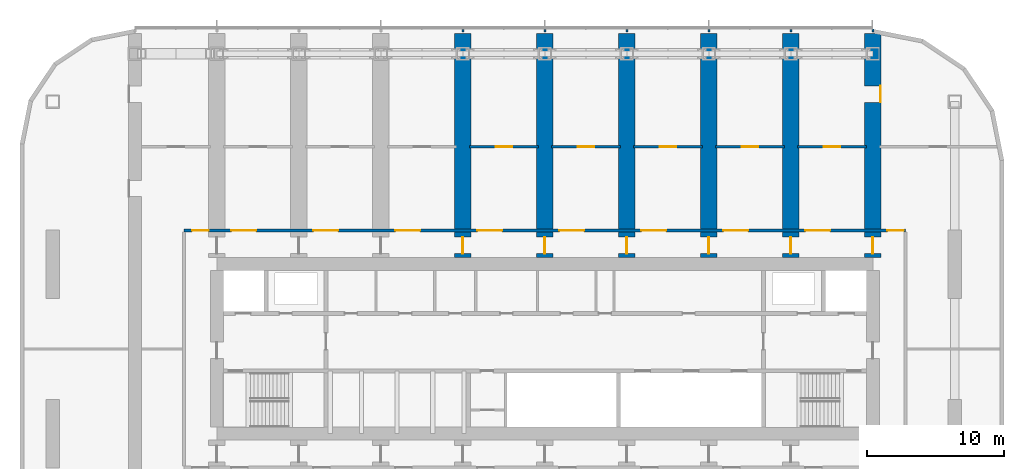
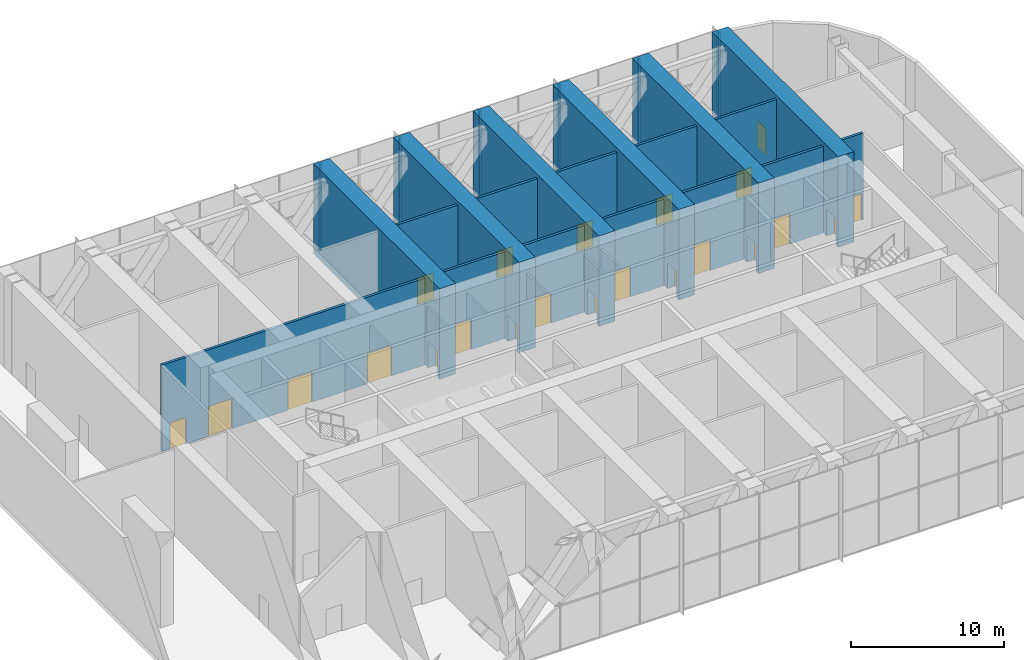
# One storey, part 12 of 22: 22 doors, 18 walls, 22 openings.
"""IFC4 building model written with IfcOpenShell, lengths in metres."""

from ifc_helpers import new_model, si_unit, direction, frame, frame_2d, origin, place, context, subcontext, project, spatial, rectangle, extrude, material, layer, layer_set, type_object, element, fill, save


model = new_model("IFC4")

# Units and contexts
model_context = context("Model", 3, precision=1e-05, world=origin(), true_north=direction((0.0, 1.0)))
body_context = subcontext(model_context, "Body", "Model", "MODEL_VIEW")
ifc_project = project(units=[si_unit("LENGTHUNIT", "METRE"), si_unit("AREAUNIT", "SQUARE_METRE"), si_unit("VOLUMEUNIT", "CUBIC_METRE"), si_unit("PLANEANGLEUNIT", "RADIAN"), si_unit("MASSUNIT", "GRAM", prefix="KILO")], contexts=[model_context])

# Site, building, storey
site_placement = place(None, origin())
site = spatial("IfcSite", under=ifc_project, at=site_placement, CompositionType="ELEMENT")
building_placement = place(site_placement, origin())
building = spatial("IfcBuilding", under=site, at=building_placement, Name="Orbita Commons", CompositionType="ELEMENT")
storey_placement = place(building_placement, frame((0.0, 0.0, 133.14990234375)))
storey = spatial("IfcBuildingStorey", under=building, at=storey_placement, Name="L33", CompositionType="ELEMENT", Elevation=133.14990234375)

# Wall, openings, doors
ifc_material_1 = material(Name="Concrete blockwork", Category="masonry")
ifc_layer_1 = layer(ifc_material_1, 0.199951171875)
ifc_layer_set_1 = layer_set([ifc_layer_1], Name="Concrete blockwork")
wall_type_1 = type_object("IfcWallType", Name="Corridor wall 200 blockwork", PredefinedType="SOLIDWALL", material=ifc_layer_set_1)
wall_1_placement = place(storey_placement, frame((15.60009765625, 40.675048828125, 0.0), z_axis=(0.0, 0.0, 1.0), x_axis=(1.0, 0.0, 0.0)))
wall_1 = element("IfcWall", 1, at=wall_1_placement, inside=storey, type_object=wall_type_1, Name="Corridor wall 200 blockwork L33", PredefinedType="SOLIDWALL", context=body_context, shape_type="SweptSolid", body=[
    extrude(rectangle(XDim=52.7998046875, YDim=0.199951171875, at=frame_2d((26.39990234375, 0.0))), origin(), (0.0, 0.0, 1.0), 6.900146484375),
])
opening_1_placement = place(wall_1_placement, frame((0.60009765625, 0.0, 0.0)))
opening_1 = element("IfcOpeningElement", 2, at=opening_1_placement, cuts=wall_1, Name="Opening D01", PredefinedType="OPENING", context=body_context, shape_type="SweptSolid", body=[
    extrude(rectangle(XDim=1.199951171875, YDim=2.10009765625, at=frame_2d((0.60009765625, 1.050048828125))), frame((0.0, 0.10986328125, 0.0), z_axis=(0.0, -1.0, 0.0), x_axis=(1.0, 0.0, 0.0)), (0.0, 0.0, 1.0), 0.219970703125),
])
opening_2_placement = place(wall_1_placement, frame((3.47509765625, 0.0, 0.0)))
opening_2 = element("IfcOpeningElement", 3, at=opening_2_placement, cuts=wall_1, Name="Opening D14", PredefinedType="OPENING", context=body_context, shape_type="SweptSolid", body=[
    extrude(rectangle(XDim=1.800048828125, YDim=2.39990234375, at=frame_2d((0.89990234375, 1.199951171875))), frame((0.0, 0.10986328125, 0.0), z_axis=(0.0, -1.0, 0.0), x_axis=(1.0, 0.0, 0.0)), (0.0, 0.0, 1.0), 0.219970703125),
])
opening_3_placement = place(wall_1_placement, frame((9.47509765625, 0.0, 0.0)))
opening_3 = element("IfcOpeningElement", 4, at=opening_3_placement, cuts=wall_1, Name="Opening D14", PredefinedType="OPENING", context=body_context, shape_type="SweptSolid", body=[
    extrude(rectangle(XDim=1.800048828125, YDim=2.39990234375, at=frame_2d((0.89990234375, 1.199951171875))), frame((0.0, 0.10986328125, 0.0), z_axis=(0.0, -1.0, 0.0), x_axis=(1.0, 0.0, 0.0)), (0.0, 0.0, 1.0), 0.219970703125),
])
opening_4_placement = place(wall_1_placement, frame((15.47509765625, 0.0, 0.0)))
opening_4 = element("IfcOpeningElement", 5, at=opening_4_placement, cuts=wall_1, Name="Opening D14", PredefinedType="OPENING", context=body_context, shape_type="SweptSolid", body=[
    extrude(rectangle(XDim=1.800048828125, YDim=2.39990234375, at=frame_2d((0.89990234375, 1.199951171875))), frame((0.0, 0.10986328125, 0.0), z_axis=(0.0, -1.0, 0.0), x_axis=(1.0, 0.0, 0.0)), (0.0, 0.0, 1.0), 0.219970703125),
])
opening_5_placement = place(wall_1_placement, frame((21.47509765625, 0.0, 0.0)))
opening_5 = element("IfcOpeningElement", 6, at=opening_5_placement, cuts=wall_1, Name="Opening D14", PredefinedType="OPENING", context=body_context, shape_type="SweptSolid", body=[
    extrude(rectangle(XDim=1.800048828125, YDim=2.39990234375, at=frame_2d((0.89990234375, 1.199951171875))), frame((0.0, 0.10986328125, 0.0), z_axis=(0.0, -1.0, 0.0), x_axis=(1.0, 0.0, 0.0)), (0.0, 0.0, 1.0), 0.219970703125),
])
opening_6_placement = place(wall_1_placement, frame((27.47509765625, 0.0, 0.0)))
opening_6 = element("IfcOpeningElement", 7, at=opening_6_placement, cuts=wall_1, Name="Opening D14", PredefinedType="OPENING", context=body_context, shape_type="SweptSolid", body=[
    extrude(rectangle(XDim=1.800048828125, YDim=2.39990234375, at=frame_2d((0.89990234375, 1.199951171875))), frame((0.0, 0.10986328125, 0.0), z_axis=(0.0, -1.0, 0.0), x_axis=(1.0, 0.0, 0.0)), (0.0, 0.0, 1.0), 0.219970703125),
])
opening_7_placement = place(wall_1_placement, frame((33.47509765625, 0.0, 0.0)))
opening_7 = element("IfcOpeningElement", 8, at=opening_7_placement, cuts=wall_1, Name="Opening D14", PredefinedType="OPENING", context=body_context, shape_type="SweptSolid", body=[
    extrude(rectangle(XDim=1.800048828125, YDim=2.39990234375, at=frame_2d((0.89990234375, 1.199951171875))), frame((0.0, 0.10986328125, 0.0), z_axis=(0.0, -1.0, 0.0), x_axis=(1.0, 0.0, 0.0)), (0.0, 0.0, 1.0), 0.219970703125),
])
opening_8_placement = place(wall_1_placement, frame((39.47509765625, 0.0, 0.0)))
opening_8 = element("IfcOpeningElement", 9, at=opening_8_placement, cuts=wall_1, Name="Opening D14", PredefinedType="OPENING", context=body_context, shape_type="SweptSolid", body=[
    extrude(rectangle(XDim=1.800048828125, YDim=2.39990234375, at=frame_2d((0.89990234375, 1.199951171875))), frame((0.0, 0.10986328125, 0.0), z_axis=(0.0, -1.0, 0.0), x_axis=(1.0, 0.0, 0.0)), (0.0, 0.0, 1.0), 0.219970703125),
])
opening_9_placement = place(wall_1_placement, frame((45.47509765625, 0.0, 0.0)))
opening_9 = element("IfcOpeningElement", 10, at=opening_9_placement, cuts=wall_1, Name="Opening D14", PredefinedType="OPENING", context=body_context, shape_type="SweptSolid", body=[
    extrude(rectangle(XDim=1.800048828125, YDim=2.39990234375, at=frame_2d((0.89990234375, 1.199951171875))), frame((0.0, 0.10986328125, 0.0), z_axis=(0.0, -1.0, 0.0), x_axis=(1.0, 0.0, 0.0)), (0.0, 0.0, 1.0), 0.219970703125),
])
opening_10_placement = place(wall_1_placement, frame((51.47509765625, 0.0, 0.0)))
opening_10 = element("IfcOpeningElement", 11, at=opening_10_placement, cuts=wall_1, Name="Opening D01", PredefinedType="OPENING", context=body_context, shape_type="SweptSolid", body=[
    extrude(rectangle(XDim=1.199951171875, YDim=2.10009765625, at=frame_2d((0.60009765625, 1.050048828125))), frame((0.0, 0.10986328125, 0.0), z_axis=(0.0, -1.0, 0.0), x_axis=(1.0, 0.0, 0.0)), (0.0, 0.0, 1.0), 0.219970703125),
])
ifc_material_2 = material(Name="Steel-faced fire door leaf", Category="steel")
door_type_1 = type_object("IfcDoorType", Name="Double fire door 90 min 1800x2400", OperationType="DOUBLE_DOOR_SINGLE_SWING", PredefinedType="DOOR", material=ifc_material_2)
door_1_placement = place(opening_2_placement, origin())
door_1 = element("IfcDoor", 12, at=door_1_placement, inside=storey, type_object=door_type_1, Name="Mechanical plant room L33-PN2 door", OperationType="DOUBLE_DOOR_SINGLE_SWING", OverallHeight=2.39990234375, OverallWidth=1.800048828125, PredefinedType="DOOR", context=body_context, shape_type="SweptSolid", body=[
    extrude(rectangle(XDim=1.800048828125, YDim=2.39990234375, at=frame_2d((0.89990234375, 1.199951171875))), frame((0.0, 0.02490234375, 0.0), z_axis=(0.0, -1.0, 0.0), x_axis=(1.0, 0.0, 0.0)), (0.0, 0.0, 1.0), 0.050048828125),
])
fill(opening_2, door_1)
door_2_placement = place(opening_3_placement, origin())
door_2 = element("IfcDoor", 13, at=door_2_placement, inside=storey, type_object=door_type_1, Name="Mechanical plant room L33-PN3 door", OperationType="DOUBLE_DOOR_SINGLE_SWING", OverallHeight=2.39990234375, OverallWidth=1.800048828125, PredefinedType="DOOR", context=body_context, shape_type="SweptSolid", body=[
    extrude(rectangle(XDim=1.800048828125, YDim=2.39990234375, at=frame_2d((0.89990234375, 1.199951171875))), frame((0.0, 0.02490234375, 0.0), z_axis=(0.0, -1.0, 0.0), x_axis=(1.0, 0.0, 0.0)), (0.0, 0.0, 1.0), 0.050048828125),
])
fill(opening_3, door_2)
door_3_placement = place(opening_4_placement, origin())
door_3 = element("IfcDoor", 14, at=door_3_placement, inside=storey, type_object=door_type_1, Name="Water tank room L33-PN4 door", OperationType="DOUBLE_DOOR_SINGLE_SWING", OverallHeight=2.39990234375, OverallWidth=1.800048828125, PredefinedType="DOOR", context=body_context, shape_type="SweptSolid", body=[
    extrude(rectangle(XDim=1.800048828125, YDim=2.39990234375, at=frame_2d((0.89990234375, 1.199951171875))), frame((0.0, 0.02490234375, 0.0), z_axis=(0.0, -1.0, 0.0), x_axis=(1.0, 0.0, 0.0)), (0.0, 0.0, 1.0), 0.050048828125),
])
fill(opening_4, door_3)
door_4_placement = place(opening_5_placement, origin())
door_4 = element("IfcDoor", 15, at=door_4_placement, inside=storey, type_object=door_type_1, Name="Mechanical plant room L33-PN5 door", OperationType="DOUBLE_DOOR_SINGLE_SWING", OverallHeight=2.39990234375, OverallWidth=1.800048828125, PredefinedType="DOOR", context=body_context, shape_type="SweptSolid", body=[
    extrude(rectangle(XDim=1.800048828125, YDim=2.39990234375, at=frame_2d((0.89990234375, 1.199951171875))), frame((0.0, 0.02490234375, 0.0), z_axis=(0.0, -1.0, 0.0), x_axis=(1.0, 0.0, 0.0)), (0.0, 0.0, 1.0), 0.050048828125),
])
fill(opening_5, door_4)
door_5_placement = place(opening_6_placement, origin())
door_5 = element("IfcDoor", 16, at=door_5_placement, inside=storey, type_object=door_type_1, Name="Mechanical plant room L33-PN6 door", OperationType="DOUBLE_DOOR_SINGLE_SWING", OverallHeight=2.39990234375, OverallWidth=1.800048828125, PredefinedType="DOOR", context=body_context, shape_type="SweptSolid", body=[
    extrude(rectangle(XDim=1.800048828125, YDim=2.39990234375, at=frame_2d((0.89990234375, 1.199951171875))), frame((0.0, 0.02490234375, 0.0), z_axis=(0.0, -1.0, 0.0), x_axis=(1.0, 0.0, 0.0)), (0.0, 0.0, 1.0), 0.050048828125),
])
fill(opening_6, door_5)
door_6_placement = place(opening_7_placement, origin())
door_6 = element("IfcDoor", 17, at=door_6_placement, inside=storey, type_object=door_type_1, Name="Water tank room L33-PN7 door", OperationType="DOUBLE_DOOR_SINGLE_SWING", OverallHeight=2.39990234375, OverallWidth=1.800048828125, PredefinedType="DOOR", context=body_context, shape_type="SweptSolid", body=[
    extrude(rectangle(XDim=1.800048828125, YDim=2.39990234375, at=frame_2d((0.89990234375, 1.199951171875))), frame((0.0, 0.02490234375, 0.0), z_axis=(0.0, -1.0, 0.0), x_axis=(1.0, 0.0, 0.0)), (0.0, 0.0, 1.0), 0.050048828125),
])
fill(opening_7, door_6)
door_7_placement = place(opening_8_placement, origin())
door_7 = element("IfcDoor", 18, at=door_7_placement, inside=storey, type_object=door_type_1, Name="Mechanical plant room L33-PN8 door", OperationType="DOUBLE_DOOR_SINGLE_SWING", OverallHeight=2.39990234375, OverallWidth=1.800048828125, PredefinedType="DOOR", context=body_context, shape_type="SweptSolid", body=[
    extrude(rectangle(XDim=1.800048828125, YDim=2.39990234375, at=frame_2d((0.89990234375, 1.199951171875))), frame((0.0, 0.02490234375, 0.0), z_axis=(0.0, -1.0, 0.0), x_axis=(1.0, 0.0, 0.0)), (0.0, 0.0, 1.0), 0.050048828125),
])
fill(opening_8, door_7)
door_8_placement = place(opening_9_placement, origin())
door_8 = element("IfcDoor", 19, at=door_8_placement, inside=storey, type_object=door_type_1, Name="Mechanical plant room L33-PN9 door", OperationType="DOUBLE_DOOR_SINGLE_SWING", OverallHeight=2.39990234375, OverallWidth=1.800048828125, PredefinedType="DOOR", context=body_context, shape_type="SweptSolid", body=[
    extrude(rectangle(XDim=1.800048828125, YDim=2.39990234375, at=frame_2d((0.89990234375, 1.199951171875))), frame((0.0, 0.02490234375, 0.0), z_axis=(0.0, -1.0, 0.0), x_axis=(1.0, 0.0, 0.0)), (0.0, 0.0, 1.0), 0.050048828125),
])
fill(opening_9, door_8)
ifc_material_3 = material(Name="Steel-faced fire door leaf", Category="steel")
door_type_2 = type_object("IfcDoorType", Name="Fire door 90 min 1200x2100", OperationType="SINGLE_SWING_LEFT", PredefinedType="DOOR", material=ifc_material_3)
door_9_placement = place(opening_1_placement, origin())
door_9 = element("IfcDoor", 20, at=door_9_placement, inside=storey, type_object=door_type_2, Name="Water tank room L33-PN1 door", OperationType="SINGLE_SWING_LEFT", OverallHeight=2.10009765625, OverallWidth=1.199951171875, PredefinedType="DOOR", context=body_context, shape_type="SweptSolid", body=[
    extrude(rectangle(XDim=1.199951171875, YDim=2.10009765625, at=frame_2d((0.60009765625, 1.050048828125))), frame((0.0, 0.02490234375, 0.0), z_axis=(0.0, -1.0, 0.0), x_axis=(1.0, 0.0, 0.0)), (0.0, 0.0, 1.0), 0.050048828125),
])
fill(opening_1, door_9)
door_10_placement = place(opening_10_placement, origin())
door_10 = element("IfcDoor", 21, at=door_10_placement, inside=storey, type_object=door_type_2, Name="Water tank room L33-PN10 door", OperationType="SINGLE_SWING_LEFT", OverallHeight=2.10009765625, OverallWidth=1.199951171875, PredefinedType="DOOR", context=body_context, shape_type="SweptSolid", body=[
    extrude(rectangle(XDim=1.199951171875, YDim=2.10009765625, at=frame_2d((0.60009765625, 1.050048828125))), frame((0.0, 0.02490234375, 0.0), z_axis=(0.0, -1.0, 0.0), x_axis=(1.0, 0.0, 0.0)), (0.0, 0.0, 1.0), 0.050048828125),
])
fill(opening_10, door_10)

# Wall, opening, door
ifc_material_4 = material(Name="Hollow concrete block 200", Category="concrete")
ifc_layer_2 = layer(ifc_material_4, 0.199951171875)
ifc_layer_set_2 = layer_set([ifc_layer_2], Name="Hollow concrete block 200")
wall_type_2 = type_object("IfcWallType", Name="Corridor wall 200 hollow concrete block", PredefinedType="SOLIDWALL", material=ifc_layer_set_2)
wall_2_placement = place(storey_placement, frame((36.47509765625, 46.800048828125, 0.0), z_axis=(0.0, 0.0, 1.0), x_axis=(1.0, 0.0, 0.0)))
wall_2 = element("IfcWall", 22, at=wall_2_placement, inside=storey, type_object=wall_type_2, Name="Corridor wall 200 hollow concrete block L33", PredefinedType="SOLIDWALL", context=body_context, shape_type="SweptSolid", body=[
    extrude(rectangle(XDim=5.0498046875, YDim=0.199951171875, at=frame_2d((2.52490234375, 0.0))), origin(), (0.0, 0.0, 1.0), 6.900146484375),
])
opening_11_placement = place(wall_2_placement, frame((1.925048828125, 0.0, 0.0)))
opening_11 = element("IfcOpeningElement", 23, at=opening_11_placement, cuts=wall_2, Name="Opening D01", PredefinedType="OPENING", context=body_context, shape_type="SweptSolid", body=[
    extrude(rectangle(XDim=1.199951171875, YDim=2.10009765625, at=frame_2d((0.60009765625, 1.050048828125))), frame((0.0, 0.10986328125, 0.0), z_axis=(0.0, -1.0, 0.0), x_axis=(1.0, 0.0, 0.0)), (0.0, 0.0, 1.0), 0.219970703125),
])
door_11_placement = place(opening_11_placement, origin())
door_11 = element("IfcDoor", 24, at=door_11_placement, inside=storey, type_object=door_type_2, Name="Plant room door L33", OperationType="SINGLE_SWING_LEFT", OverallHeight=2.10009765625, OverallWidth=1.199951171875, PredefinedType="DOOR", context=body_context, shape_type="SweptSolid", body=[
    extrude(rectangle(XDim=1.199951171875, YDim=2.10009765625, at=frame_2d((0.60009765625, 1.050048828125))), frame((0.0, 0.02490234375, 0.0), z_axis=(0.0, -1.0, 0.0), x_axis=(1.0, 0.0, 0.0)), (0.0, 0.0, 1.0), 0.050048828125),
])
fill(opening_11, door_11)

wall_3_placement = place(storey_placement, frame((42.47509765625, 46.800048828125, 0.0), z_axis=(0.0, 0.0, 1.0), x_axis=(1.0, 0.0, 0.0)))
wall_3 = element("IfcWall", 25, at=wall_3_placement, inside=storey, type_object=wall_type_2, Name="Corridor wall 200 hollow concrete block L33", PredefinedType="SOLIDWALL", context=body_context, shape_type="SweptSolid", body=[
    extrude(rectangle(XDim=5.0498046875, YDim=0.199951171875, at=frame_2d((2.52490234375, 0.0))), origin(), (0.0, 0.0, 1.0), 6.900146484375),
])
opening_12_placement = place(wall_3_placement, frame((1.925048828125, 0.0, 0.0)))
opening_12 = element("IfcOpeningElement", 26, at=opening_12_placement, cuts=wall_3, Name="Opening D01", PredefinedType="OPENING", context=body_context, shape_type="SweptSolid", body=[
    extrude(rectangle(XDim=1.199951171875, YDim=2.10009765625, at=frame_2d((0.60009765625, 1.050048828125))), frame((0.0, 0.10986328125, 0.0), z_axis=(0.0, -1.0, 0.0), x_axis=(1.0, 0.0, 0.0)), (0.0, 0.0, 1.0), 0.219970703125),
])
door_12_placement = place(opening_12_placement, origin())
door_12 = element("IfcDoor", 27, at=door_12_placement, inside=storey, type_object=door_type_2, Name="Plant room door L33", OperationType="SINGLE_SWING_LEFT", OverallHeight=2.10009765625, OverallWidth=1.199951171875, PredefinedType="DOOR", context=body_context, shape_type="SweptSolid", body=[
    extrude(rectangle(XDim=1.199951171875, YDim=2.10009765625, at=frame_2d((0.60009765625, 1.050048828125))), frame((0.0, 0.02490234375, 0.0), z_axis=(0.0, -1.0, 0.0), x_axis=(1.0, 0.0, 0.0)), (0.0, 0.0, 1.0), 0.050048828125),
])
fill(opening_12, door_12)

wall_4_placement = place(storey_placement, frame((48.47509765625, 46.800048828125, 0.0), z_axis=(0.0, 0.0, 1.0), x_axis=(1.0, 0.0, 0.0)))
wall_4 = element("IfcWall", 28, at=wall_4_placement, inside=storey, type_object=wall_type_2, Name="Corridor wall 200 hollow concrete block L33", PredefinedType="SOLIDWALL", context=body_context, shape_type="SweptSolid", body=[
    extrude(rectangle(XDim=5.0498046875, YDim=0.199951171875, at=frame_2d((2.52490234375, 0.0))), origin(), (0.0, 0.0, 1.0), 6.900146484375),
])
opening_13_placement = place(wall_4_placement, frame((1.925048828125, 0.0, 0.0)))
opening_13 = element("IfcOpeningElement", 29, at=opening_13_placement, cuts=wall_4, Name="Opening D01", PredefinedType="OPENING", context=body_context, shape_type="SweptSolid", body=[
    extrude(rectangle(XDim=1.199951171875, YDim=2.10009765625, at=frame_2d((0.60009765625, 1.050048828125))), frame((0.0, 0.10986328125, 0.0), z_axis=(0.0, -1.0, 0.0), x_axis=(1.0, 0.0, 0.0)), (0.0, 0.0, 1.0), 0.219970703125),
])
door_13_placement = place(opening_13_placement, origin())
door_13 = element("IfcDoor", 30, at=door_13_placement, inside=storey, type_object=door_type_2, Name="Plant room door L33", OperationType="SINGLE_SWING_LEFT", OverallHeight=2.10009765625, OverallWidth=1.199951171875, PredefinedType="DOOR", context=body_context, shape_type="SweptSolid", body=[
    extrude(rectangle(XDim=1.199951171875, YDim=2.10009765625, at=frame_2d((0.60009765625, 1.050048828125))), frame((0.0, 0.02490234375, 0.0), z_axis=(0.0, -1.0, 0.0), x_axis=(1.0, 0.0, 0.0)), (0.0, 0.0, 1.0), 0.050048828125),
])
fill(opening_13, door_13)

wall_5_placement = place(storey_placement, frame((54.47509765625, 46.800048828125, 0.0), z_axis=(0.0, 0.0, 1.0), x_axis=(1.0, 0.0, 0.0)))
wall_5 = element("IfcWall", 31, at=wall_5_placement, inside=storey, type_object=wall_type_2, Name="Corridor wall 200 hollow concrete block L33", PredefinedType="SOLIDWALL", context=body_context, shape_type="SweptSolid", body=[
    extrude(rectangle(XDim=5.0498046875, YDim=0.199951171875, at=frame_2d((2.52490234375, 0.0))), origin(), (0.0, 0.0, 1.0), 6.900146484375),
])
opening_14_placement = place(wall_5_placement, frame((1.925048828125, 0.0, 0.0)))
opening_14 = element("IfcOpeningElement", 32, at=opening_14_placement, cuts=wall_5, Name="Opening D01", PredefinedType="OPENING", context=body_context, shape_type="SweptSolid", body=[
    extrude(rectangle(XDim=1.199951171875, YDim=2.10009765625, at=frame_2d((0.60009765625, 1.050048828125))), frame((0.0, 0.10986328125, 0.0), z_axis=(0.0, -1.0, 0.0), x_axis=(1.0, 0.0, 0.0)), (0.0, 0.0, 1.0), 0.219970703125),
])
door_14_placement = place(opening_14_placement, origin())
door_14 = element("IfcDoor", 33, at=door_14_placement, inside=storey, type_object=door_type_2, Name="Plant room door L33", OperationType="SINGLE_SWING_LEFT", OverallHeight=2.10009765625, OverallWidth=1.199951171875, PredefinedType="DOOR", context=body_context, shape_type="SweptSolid", body=[
    extrude(rectangle(XDim=1.199951171875, YDim=2.10009765625, at=frame_2d((0.60009765625, 1.050048828125))), frame((0.0, 0.02490234375, 0.0), z_axis=(0.0, -1.0, 0.0), x_axis=(1.0, 0.0, 0.0)), (0.0, 0.0, 1.0), 0.050048828125),
])
fill(opening_14, door_14)

wall_6_placement = place(storey_placement, frame((60.47509765625, 46.800048828125, 0.0), z_axis=(0.0, 0.0, 1.0), x_axis=(1.0, 0.0, 0.0)))
wall_6 = element("IfcWall", 34, at=wall_6_placement, inside=storey, type_object=wall_type_2, Name="Corridor wall 200 hollow concrete block L33", PredefinedType="SOLIDWALL", context=body_context, shape_type="SweptSolid", body=[
    extrude(rectangle(XDim=5.0498046875, YDim=0.199951171875, at=frame_2d((2.52490234375, 0.0))), origin(), (0.0, 0.0, 1.0), 6.900146484375),
])
opening_15_placement = place(wall_6_placement, frame((1.925048828125, 0.0, 0.0)))
opening_15 = element("IfcOpeningElement", 35, at=opening_15_placement, cuts=wall_6, Name="Opening D01", PredefinedType="OPENING", context=body_context, shape_type="SweptSolid", body=[
    extrude(rectangle(XDim=1.199951171875, YDim=2.10009765625, at=frame_2d((0.60009765625, 1.050048828125))), frame((0.0, 0.10986328125, 0.0), z_axis=(0.0, -1.0, 0.0), x_axis=(1.0, 0.0, 0.0)), (0.0, 0.0, 1.0), 0.219970703125),
])
door_15_placement = place(opening_15_placement, origin())
door_15 = element("IfcDoor", 36, at=door_15_placement, inside=storey, type_object=door_type_2, Name="Plant room door L33", OperationType="SINGLE_SWING_LEFT", OverallHeight=2.10009765625, OverallWidth=1.199951171875, PredefinedType="DOOR", context=body_context, shape_type="SweptSolid", body=[
    extrude(rectangle(XDim=1.199951171875, YDim=2.10009765625, at=frame_2d((0.60009765625, 1.050048828125))), frame((0.0, 0.02490234375, 0.0), z_axis=(0.0, -1.0, 0.0), x_axis=(1.0, 0.0, 0.0)), (0.0, 0.0, 1.0), 0.050048828125),
])
fill(opening_15, door_15)

ifc_material_5 = material(Name="Concrete C50/60", Category="concrete")
ifc_layer_3 = layer(ifc_material_5, 1.199951171875)
ifc_layer_set_3 = layer_set([ifc_layer_3], Name="Concrete C50/60")
wall_type_3 = type_object("IfcWallType", Name="Outrigger wall 1200 C50/60", PredefinedType="SHEAR", material=ifc_layer_set_3)
wall_7_placement = place(storey_placement, frame((36.0, 38.675048828125, 0.0), z_axis=(0.0, 0.0, 1.0), x_axis=(0.0, 1.0, 0.0)))
wall_7 = element("IfcWall", 37, at=wall_7_placement, inside=storey, type_object=wall_type_3, Name="Outrigger wall 7 north L33", PredefinedType="SHEAR", context=body_context, shape_type="SweptSolid", body=[
    extrude(rectangle(XDim=16.425048828125, YDim=1.199951171875, at=frame_2d((8.21240234375, 0.0))), origin(), (0.0, 0.0, 1.0), 7.2001953125),
])
opening_16_placement = place(wall_7_placement, frame((0.300048828125, 0.0, 0.0)))
opening_16 = element("IfcOpeningElement", 38, at=opening_16_placement, cuts=wall_7, Name="Opening D01", PredefinedType="OPENING", context=body_context, shape_type="SweptSolid", body=[
    extrude(rectangle(XDim=1.199951171875, YDim=2.10009765625, at=frame_2d((0.60009765625, 1.050048828125))), frame((0.0, 0.60986328125, 0.0), z_axis=(0.0, -1.0, 0.0), x_axis=(1.0, 0.0, 0.0)), (0.0, 0.0, 1.0), 1.219970703125),
])
door_16_placement = place(opening_16_placement, origin())
door_16 = element("IfcDoor", 39, at=door_16_placement, inside=storey, type_object=door_type_2, Name="Corridor door through cross wall N L33", OperationType="SINGLE_SWING_LEFT", OverallHeight=2.10009765625, OverallWidth=1.199951171875, PredefinedType="DOOR", context=body_context, shape_type="SweptSolid", body=[
    extrude(rectangle(XDim=1.199951171875, YDim=2.10009765625, at=frame_2d((0.60009765625, 1.050048828125))), frame((0.0, 0.02490234375, 0.0), z_axis=(0.0, -1.0, 0.0), x_axis=(1.0, 0.0, 0.0)), (0.0, 0.0, 1.0), 0.050048828125),
])
fill(opening_16, door_16)

wall_8_placement = place(storey_placement, frame((42.0, 38.675048828125, 0.0), z_axis=(0.0, 0.0, 1.0), x_axis=(0.0, 1.0, 0.0)))
wall_8 = element("IfcWall", 40, at=wall_8_placement, inside=storey, type_object=wall_type_3, Name="Outrigger wall 8 north L33", PredefinedType="SHEAR", context=body_context, shape_type="SweptSolid", body=[
    extrude(rectangle(XDim=16.425048828125, YDim=1.199951171875, at=frame_2d((8.21240234375, 0.0))), origin(), (0.0, 0.0, 1.0), 7.2001953125),
])
opening_17_placement = place(wall_8_placement, frame((0.300048828125, 0.0, 0.0)))
opening_17 = element("IfcOpeningElement", 41, at=opening_17_placement, cuts=wall_8, Name="Opening D01", PredefinedType="OPENING", context=body_context, shape_type="SweptSolid", body=[
    extrude(rectangle(XDim=1.199951171875, YDim=2.10009765625, at=frame_2d((0.60009765625, 1.050048828125))), frame((0.0, 0.60986328125, 0.0), z_axis=(0.0, -1.0, 0.0), x_axis=(1.0, 0.0, 0.0)), (0.0, 0.0, 1.0), 1.219970703125),
])
door_17_placement = place(opening_17_placement, origin())
door_17 = element("IfcDoor", 42, at=door_17_placement, inside=storey, type_object=door_type_2, Name="Corridor door through cross wall N L33", OperationType="SINGLE_SWING_LEFT", OverallHeight=2.10009765625, OverallWidth=1.199951171875, PredefinedType="DOOR", context=body_context, shape_type="SweptSolid", body=[
    extrude(rectangle(XDim=1.199951171875, YDim=2.10009765625, at=frame_2d((0.60009765625, 1.050048828125))), frame((0.0, 0.02490234375, 0.0), z_axis=(0.0, -1.0, 0.0), x_axis=(1.0, 0.0, 0.0)), (0.0, 0.0, 1.0), 0.050048828125),
])
fill(opening_17, door_17)

wall_9_placement = place(storey_placement, frame((48.0, 38.675048828125, 0.0), z_axis=(0.0, 0.0, 1.0), x_axis=(0.0, 1.0, 0.0)))
wall_9 = element("IfcWall", 43, at=wall_9_placement, inside=storey, type_object=wall_type_3, Name="Outrigger wall 9 north L33", PredefinedType="SHEAR", context=body_context, shape_type="SweptSolid", body=[
    extrude(rectangle(XDim=16.425048828125, YDim=1.199951171875, at=frame_2d((8.21240234375, 0.0))), origin(), (0.0, 0.0, 1.0), 7.2001953125),
])
opening_18_placement = place(wall_9_placement, frame((0.300048828125, 0.0, 0.0)))
opening_18 = element("IfcOpeningElement", 44, at=opening_18_placement, cuts=wall_9, Name="Opening D01", PredefinedType="OPENING", context=body_context, shape_type="SweptSolid", body=[
    extrude(rectangle(XDim=1.199951171875, YDim=2.10009765625, at=frame_2d((0.60009765625, 1.050048828125))), frame((0.0, 0.60986328125, 0.0), z_axis=(0.0, -1.0, 0.0), x_axis=(1.0, 0.0, 0.0)), (0.0, 0.0, 1.0), 1.219970703125),
])
door_18_placement = place(opening_18_placement, origin())
door_18 = element("IfcDoor", 45, at=door_18_placement, inside=storey, type_object=door_type_2, Name="Corridor door through cross wall N L33", OperationType="SINGLE_SWING_LEFT", OverallHeight=2.10009765625, OverallWidth=1.199951171875, PredefinedType="DOOR", context=body_context, shape_type="SweptSolid", body=[
    extrude(rectangle(XDim=1.199951171875, YDim=2.10009765625, at=frame_2d((0.60009765625, 1.050048828125))), frame((0.0, 0.02490234375, 0.0), z_axis=(0.0, -1.0, 0.0), x_axis=(1.0, 0.0, 0.0)), (0.0, 0.0, 1.0), 0.050048828125),
])
fill(opening_18, door_18)

wall_10_placement = place(storey_placement, frame((54.0, 38.675048828125, 0.0), z_axis=(0.0, 0.0, 1.0), x_axis=(0.0, 1.0, 0.0)))
wall_10 = element("IfcWall", 46, at=wall_10_placement, inside=storey, type_object=wall_type_3, Name="Outrigger wall 10 north L33", PredefinedType="SHEAR", context=body_context, shape_type="SweptSolid", body=[
    extrude(rectangle(XDim=16.425048828125, YDim=1.199951171875, at=frame_2d((8.21240234375, 0.0))), origin(), (0.0, 0.0, 1.0), 7.2001953125),
])
opening_19_placement = place(wall_10_placement, frame((0.300048828125, 0.0, 0.0)))
opening_19 = element("IfcOpeningElement", 47, at=opening_19_placement, cuts=wall_10, Name="Opening D01", PredefinedType="OPENING", context=body_context, shape_type="SweptSolid", body=[
    extrude(rectangle(XDim=1.199951171875, YDim=2.10009765625, at=frame_2d((0.60009765625, 1.050048828125))), frame((0.0, 0.60986328125, 0.0), z_axis=(0.0, -1.0, 0.0), x_axis=(1.0, 0.0, 0.0)), (0.0, 0.0, 1.0), 1.219970703125),
])
door_19_placement = place(opening_19_placement, origin())
door_19 = element("IfcDoor", 48, at=door_19_placement, inside=storey, type_object=door_type_2, Name="Corridor door through cross wall N L33", OperationType="SINGLE_SWING_LEFT", OverallHeight=2.10009765625, OverallWidth=1.199951171875, PredefinedType="DOOR", context=body_context, shape_type="SweptSolid", body=[
    extrude(rectangle(XDim=1.199951171875, YDim=2.10009765625, at=frame_2d((0.60009765625, 1.050048828125))), frame((0.0, 0.02490234375, 0.0), z_axis=(0.0, -1.0, 0.0), x_axis=(1.0, 0.0, 0.0)), (0.0, 0.0, 1.0), 0.050048828125),
])
fill(opening_19, door_19)

wall_11_placement = place(storey_placement, frame((60.0, 38.675048828125, 0.0), z_axis=(0.0, 0.0, 1.0), x_axis=(0.0, 1.0, 0.0)))
wall_11 = element("IfcWall", 49, at=wall_11_placement, inside=storey, type_object=wall_type_3, Name="Outrigger wall 11 north L33", PredefinedType="SHEAR", context=body_context, shape_type="SweptSolid", body=[
    extrude(rectangle(XDim=16.425048828125, YDim=1.199951171875, at=frame_2d((8.21240234375, 0.0))), origin(), (0.0, 0.0, 1.0), 7.2001953125),
])
opening_20_placement = place(wall_11_placement, frame((0.300048828125, 0.0, 0.0)))
opening_20 = element("IfcOpeningElement", 50, at=opening_20_placement, cuts=wall_11, Name="Opening D01", PredefinedType="OPENING", context=body_context, shape_type="SweptSolid", body=[
    extrude(rectangle(XDim=1.199951171875, YDim=2.10009765625, at=frame_2d((0.60009765625, 1.050048828125))), frame((0.0, 0.60986328125, 0.0), z_axis=(0.0, -1.0, 0.0), x_axis=(1.0, 0.0, 0.0)), (0.0, 0.0, 1.0), 1.219970703125),
])
door_20_placement = place(opening_20_placement, origin())
door_20 = element("IfcDoor", 51, at=door_20_placement, inside=storey, type_object=door_type_2, Name="Corridor door through cross wall N L33", OperationType="SINGLE_SWING_LEFT", OverallHeight=2.10009765625, OverallWidth=1.199951171875, PredefinedType="DOOR", context=body_context, shape_type="SweptSolid", body=[
    extrude(rectangle(XDim=1.199951171875, YDim=2.10009765625, at=frame_2d((0.60009765625, 1.050048828125))), frame((0.0, 0.02490234375, 0.0), z_axis=(0.0, -1.0, 0.0), x_axis=(1.0, 0.0, 0.0)), (0.0, 0.0, 1.0), 0.050048828125),
])
fill(opening_20, door_20)

# Wall, openings, doors
wall_12_placement = place(storey_placement, frame((66.0, 38.675048828125, 0.0), z_axis=(0.0, 0.0, 1.0), x_axis=(0.0, 1.0, 0.0)))
wall_12 = element("IfcWall", 52, at=wall_12_placement, inside=storey, type_object=wall_type_3, Name="Outrigger wall 12 north L33", PredefinedType="SHEAR", context=body_context, shape_type="SweptSolid", body=[
    extrude(rectangle(XDim=16.425048828125, YDim=1.199951171875, at=frame_2d((8.21240234375, 0.0))), origin(), (0.0, 0.0, 1.0), 7.2001953125),
])
opening_21_placement = place(wall_12_placement, frame((0.300048828125, 0.0, 0.0)))
opening_21 = element("IfcOpeningElement", 53, at=opening_21_placement, cuts=wall_12, Name="Opening D01", PredefinedType="OPENING", context=body_context, shape_type="SweptSolid", body=[
    extrude(rectangle(XDim=1.199951171875, YDim=2.10009765625, at=frame_2d((0.60009765625, 1.050048828125))), frame((0.0, 0.60986328125, 0.0), z_axis=(0.0, -1.0, 0.0), x_axis=(1.0, 0.0, 0.0)), (0.0, 0.0, 1.0), 1.219970703125),
])
opening_22_placement = place(wall_12_placement, frame((11.375, 0.0, 0.0)))
opening_22 = element("IfcOpeningElement", 54, at=opening_22_placement, cuts=wall_12, Name="Opening D01", PredefinedType="OPENING", context=body_context, shape_type="SweptSolid", body=[
    extrude(rectangle(XDim=1.199951171875, YDim=2.10009765625, at=frame_2d((0.60009765625, 1.050048828125))), frame((0.0, 0.60986328125, 0.0), z_axis=(0.0, -1.0, 0.0), x_axis=(1.0, 0.0, 0.0)), (0.0, 0.0, 1.0), 1.219970703125),
])
door_21_placement = place(opening_21_placement, origin())
door_21 = element("IfcDoor", 55, at=door_21_placement, inside=storey, type_object=door_type_2, Name="Corridor door through cross wall N L33", OperationType="SINGLE_SWING_LEFT", OverallHeight=2.10009765625, OverallWidth=1.199951171875, PredefinedType="DOOR", context=body_context, shape_type="SweptSolid", body=[
    extrude(rectangle(XDim=1.199951171875, YDim=2.10009765625, at=frame_2d((0.60009765625, 1.050048828125))), frame((0.0, 0.02490234375, 0.0), z_axis=(0.0, -1.0, 0.0), x_axis=(1.0, 0.0, 0.0)), (0.0, 0.0, 1.0), 0.050048828125),
])
fill(opening_21, door_21)
door_22_placement = place(opening_22_placement, origin())
door_22 = element("IfcDoor", 56, at=door_22_placement, inside=storey, type_object=door_type_2, Name="Plant room connecting door L33", OperationType="SINGLE_SWING_LEFT", OverallHeight=2.10009765625, OverallWidth=1.199951171875, PredefinedType="DOOR", context=body_context, shape_type="SweptSolid", body=[
    extrude(rectangle(XDim=1.199951171875, YDim=2.10009765625, at=frame_2d((0.60009765625, 1.050048828125))), frame((0.0, -0.53515625, 0.0), z_axis=(0.0, -1.0, 0.0), x_axis=(1.0, 0.0, 0.0)), (0.0, 0.0, 1.0), 0.050048828125),
])
fill(opening_22, door_22)

# Walls
ifc_material_6 = material(Name="Gypsum plasterboard on steel studs", Category="steel")
ifc_layer_4 = layer(ifc_material_6, 0.14990234375)
ifc_layer_set_4 = layer_set([ifc_layer_4], Name="Gypsum plasterboard on steel studs")
wall_type_4 = type_object("IfcWallType", Name="Partition 150 plasterboard", PredefinedType="PARTITIONING", material=ifc_layer_set_4)
for number, where, z_axis, x_axis, name in (
    (57, (36.0, 55.199951171875, 0.0), (0.0, 0.0, 1.0), (0.0, 1.0, 0.0), "Partition 150 plasterboard L33"),
    (58, (42.0, 55.199951171875, 0.0), (0.0, 0.0, 1.0), (0.0, 1.0, 0.0), "Partition 150 plasterboard L33"),
    (59, (48.0, 55.199951171875, 0.0), (0.0, 0.0, 1.0), (0.0, 1.0, 0.0), "Partition 150 plasterboard L33"),
    (60, (54.0, 55.199951171875, 0.0), (0.0, 0.0, 1.0), (0.0, 1.0, 0.0), "Partition 150 plasterboard L33"),
    (61, (60.0, 55.199951171875, 0.0), (0.0, 0.0, 1.0), (0.0, 1.0, 0.0), "Partition 150 plasterboard L33"),
):
    element("IfcWall", number, at=place(storey_placement, frame(where, z_axis=z_axis, x_axis=x_axis)), inside=storey, type_object=wall_type_4, Name=name, PredefinedType="PARTITIONING", context=body_context, shape_type="SweptSolid", body=[
        extrude(rectangle(XDim=0.18994140625, YDim=0.14990234375, at=frame_2d((0.094970703125, 0.0))), origin(), (0.0, 0.0, 1.0), 6.900146484375),
    ])
wall_13_placement = place(storey_placement, frame((66.0, 55.199951171875, 0.0), z_axis=(0.0, 0.0, 1.0), x_axis=(0.0, 1.0, 0.0)))
element("IfcWall", 62, at=wall_13_placement, inside=storey, type_object=wall_type_4, Name="Partition 150 plasterboard L33", PredefinedType="PARTITIONING", context=body_context, shape_type="SweptSolid", body=[
    extrude(rectangle(XDim=0.219970703125, YDim=0.14990234375, at=frame_2d((0.10986328125, 0.0))), origin(), (0.0, 0.0, 1.0), 6.900146484375),
])

save(model, "model.ifc")
